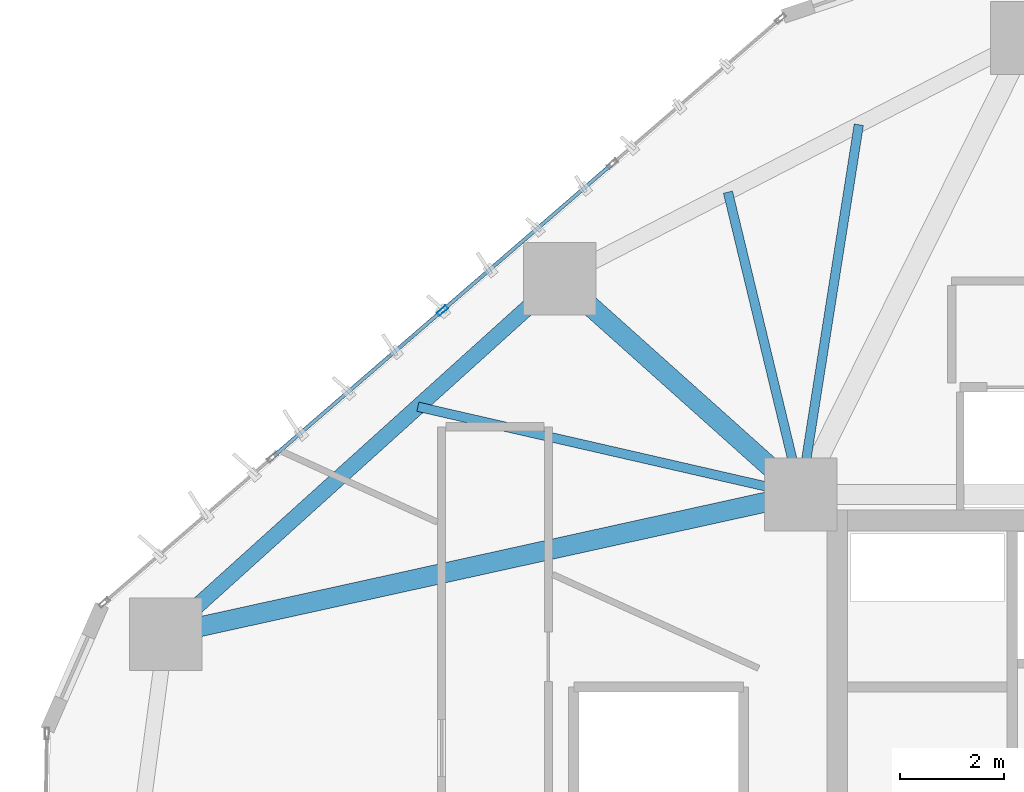
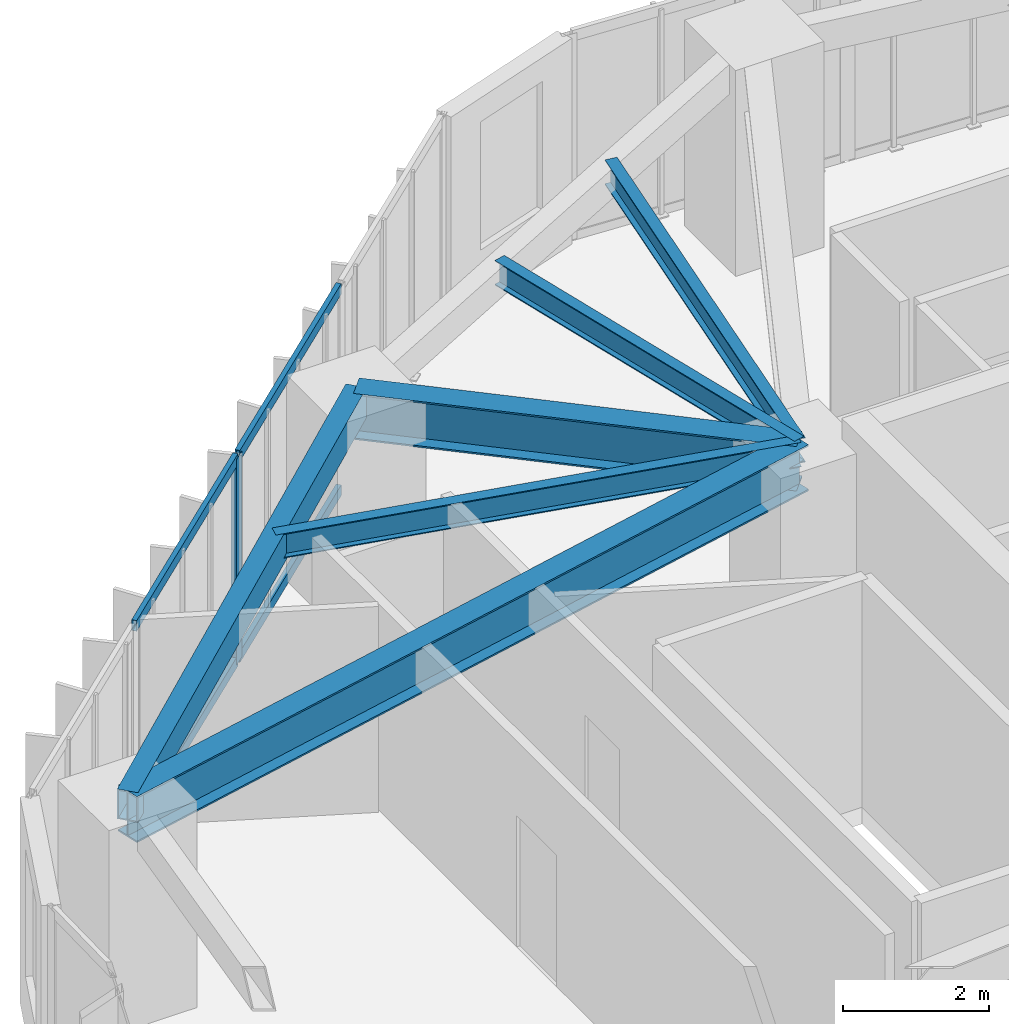
# One storey, part 8 of 24: 6 beams, 5 members, 1 element without a shape of its own.
"""IFC4 building model written with IfcOpenShell, lengths in metres."""

from ifc_helpers import new_model, si_unit, direction, frame, origin, origin_2d, place, context, subcontext, project, spatial, hollow_rectangle, i_section, extrude, source, transform, mapped, material, layer, layer_set, material_profile, profile_set, type_object, type_shapes, element, aggregate, save


model = new_model("IFC4")

# Units and contexts
model_context = context("Model", 3, precision=1e-05, world=origin(), true_north=direction((0.0, 1.0)))
body_context = subcontext(model_context, "Body", "Model", "MODEL_VIEW")
ifc_project = project(units=[si_unit("LENGTHUNIT", "METRE"), si_unit("AREAUNIT", "SQUARE_METRE"), si_unit("VOLUMEUNIT", "CUBIC_METRE"), si_unit("PLANEANGLEUNIT", "RADIAN"), si_unit("MASSUNIT", "GRAM", prefix="KILO")], contexts=[model_context])

# Site, building, storey
site_placement = place(None, origin())
site = spatial("IfcSite", under=ifc_project, at=site_placement, CompositionType="ELEMENT")
building_placement = place(site_placement, origin())
building = spatial("IfcBuilding", under=site, at=building_placement, Name="Talar Marvaseh", CompositionType="ELEMENT")
storey_placement = place(building_placement, frame((0.0, 0.0, 81.0)))
storey = spatial("IfcBuildingStorey", under=building, at=storey_placement, Name="L20", CompositionType="ELEMENT", Elevation=81.0)

# Beams
ifc_material_1 = material(Name="Steel S355", Category="steel")
ifc_material_profile_1 = material_profile(ifc_material_1, hollow_rectangle(XDim=0.300048828125, YDim=0.5, WallThickness=0.02001953125, at=origin_2d()), Name="RHS500x300x20")
ifc_profile_set_1 = profile_set([ifc_material_profile_1], Name="Steel S355")
beam_type_1 = type_object("IfcBeamType", Name="Zone 1 Perimeter Spandrel Beam RHS500x300x20", PredefinedType="SPANDREL", material=ifc_profile_set_1)
beam_1_placement = place(storey_placement, frame((6.501953125, 34.214111328125, 3.199951171875), z_axis=(0.742394279812, 0.669963232799, 0.0), x_axis=(-0.669963232799, 0.742394279812, 0.0)))
element("IfcBeam", 1, at=beam_1_placement, inside=storey, type_object=beam_type_1, Name="L20 Zone 1 Perimeter Spandrel Beam RHS500x300x20", PredefinedType="SPANDREL", context=body_context, shape_type="SweptSolid", body=[
    extrude(hollow_rectangle(XDim=0.300048828125, YDim=0.5, WallThickness=0.02001953125, at=origin_2d()), origin(), (0.0, 0.0, 1.0), 10.19287109375),
])
ifc_material_profile_2 = material_profile(ifc_material_1, i_section(OverallWidth=0.381103515625, OverallDepth=0.77294921875, WebThickness=0.0166015625, FlangeThickness=0.027099609375, at=origin_2d()), Name="W760x257")
ifc_profile_set_2 = profile_set([ifc_material_profile_2], Name="Steel S355")
beam_type_2 = type_object("IfcBeamType", Name="Zone 1 Radial Floor Girder W760x257", PredefinedType="BEAM", material=ifc_profile_set_2)
beam_2_placement = place(storey_placement, frame((6.501953125, 34.214111328125, 3.0634765625), z_axis=(0.976606962034, 0.215032187606, 0.0), x_axis=(-0.215032187606, 0.976606962034, 0.0)))
element("IfcBeam", 2, at=beam_2_placement, inside=storey, type_object=beam_type_2, Name="L20 Zone 1 Radial Floor Girder W760x257", PredefinedType="BEAM", context=body_context, shape_type="SweptSolid", body=[
    extrude(i_section(OverallWidth=0.381103515625, OverallDepth=0.77294921875, WebThickness=0.0166015625, FlangeThickness=0.027099609375, at=origin_2d()), origin(), (0.0, 0.0, 1.0), 12.490234375),
])
beam_3_placement = place(storey_placement, frame((14.069091796875, 41.04296875, 3.0634765625), z_axis=(0.745268030676, -0.666764997921, 0.0), x_axis=(0.666764997921, 0.745268030676, 0.0)))
element("IfcBeam", 3, at=beam_3_placement, inside=storey, type_object=beam_type_2, Name="L20 Zone 1 Radial Floor Girder W760x257", PredefinedType="BEAM", context=body_context, shape_type="SweptSolid", body=[
    extrude(i_section(OverallWidth=0.381103515625, OverallDepth=0.77294921875, WebThickness=0.0166015625, FlangeThickness=0.027099609375, at=origin_2d()), origin(), (0.0, 0.0, 1.0), 6.213623046875),
])
ifc_material_profile_3 = material_profile(ifc_material_1, i_section(OverallWidth=0.179931640625, OverallDepth=0.4130859375, WebThickness=0.009765625, FlangeThickness=0.01611328125, at=origin_2d()), Name="W410x75")
ifc_profile_set_3 = profile_set([ifc_material_profile_3], Name="Steel S355")
beam_type_3 = type_object("IfcBeamType", Name="Zone 1 Secondary Floor Joist W410x75", PredefinedType="JOIST", material=ifc_profile_set_3)
beam_4_placement = place(storey_placement, frame((11.344970703125, 38.584716796875, 3.243408203125), z_axis=(0.974752568621, -0.223287773885, 0.0), x_axis=(0.223287773885, 0.974752568621, 0.0)))
element("IfcBeam", 4, at=beam_4_placement, inside=storey, type_object=beam_type_3, Name="L20 Zone 1 Secondary Floor Joist W410x75", PredefinedType="JOIST", context=body_context, shape_type="SweptSolid", body=[
    extrude(i_section(OverallWidth=0.179931640625, OverallDepth=0.4130859375, WebThickness=0.009765625, FlangeThickness=0.01611328125, at=origin_2d()), origin(), (0.0, 0.0, 1.0), 7.54541015625),
])
beam_5_placement = place(storey_placement, frame((17.301025390625, 42.70751953125, 3.243408203125), z_axis=(0.234179742477, -0.972193318334, 0.0), x_axis=(0.972193318334, 0.234179742477, 0.0)))
element("IfcBeam", 5, at=beam_5_placement, inside=storey, type_object=beam_type_3, Name="L20 Zone 1 Secondary Floor Joist W410x75", PredefinedType="JOIST", context=body_context, shape_type="SweptSolid", body=[
    extrude(i_section(OverallWidth=0.179931640625, OverallDepth=0.4130859375, WebThickness=0.009765625, FlangeThickness=0.01611328125, at=origin_2d()), origin(), (0.0, 0.0, 1.0), 5.9736328125),
])
beam_6_placement = place(storey_placement, frame((19.81494140625, 44.00244140625, 3.243408203125), z_axis=(-0.15508539052, -0.987901068755, 0.0), x_axis=(0.987901068755, -0.15508539052, 0.0)))
element("IfcBeam", 6, at=beam_6_placement, inside=storey, type_object=beam_type_3, Name="L20 Zone 1 Secondary Floor Joist W410x75", PredefinedType="JOIST", context=body_context, shape_type="SweptSolid", body=[
    extrude(i_section(OverallWidth=0.179931640625, OverallDepth=0.4130859375, WebThickness=0.009765625, FlangeThickness=0.01611328125, at=origin_2d()), origin(), (0.0, 0.0, 1.0), 7.189453125),
])

# Curtain wall, members
ifc_material_2 = material(Name="Architectural Aluminium", Category="aluminium")
ifc_layer = layer(ifc_material_2, 0.219970703125)
ifc_layer_set = layer_set([ifc_layer], Name="Architectural Aluminium")
curtain_wall_type = type_object("IfcCurtainWallType", Name="Unitised Low-E Museum Curtain Wall Z1", PredefinedType="NOTDEFINED", material=ifc_layer_set)
curtain_wall_placement = place(storey_placement, origin())
curtain_wall = element("IfcCurtainWall", 7, at=curtain_wall_placement, inside=storey, type_object=curtain_wall_type, Name="L20 Unitised Low-E Museum Curtain Wall Z1", PredefinedType="NOTDEFINED")
ifc_material_profile_4 = material_profile(ifc_material_2, hollow_rectangle(XDim=0.074951171875, YDim=0.179931640625, WallThickness=0.0048828125, at=origin_2d()), Name="RHS180x75x5")
ifc_profile_set_4 = profile_set([ifc_material_profile_4], Name="Architectural Aluminium")
member_type_1 = type_object("IfcMemberType", Name="Unitised Curtain Wall Transom RHS180x75x5", PredefinedType="USERDEFINED", material=ifc_profile_set_4)
shared_shape_1 = source(origin(), body_context, "Body", "SweptSolid", [
    extrude(hollow_rectangle(XDim=0.074951171875, YDim=0.179931640625, WallThickness=0.0048828125, at=origin_2d()), origin(), (0.0, 0.0, 1.0), 4.23193359375),
])
type_shapes(member_type_1, [shared_shape_1])
member_1_placement = place(storey_placement, frame((8.584716796875, 37.640869140625, 0.03759765625), z_axis=(0.756799657511, 0.65364690651, 0.0), x_axis=(-0.65364690651, 0.756799657511, 0.0)))
member_1 = element("IfcMember", 8, at=member_1_placement, type_object=member_type_1, Name="CW-Z1 transom 2.1", ObjectType="TRANSOM", PredefinedType="USERDEFINED", context=body_context, shape_type="MappedRepresentation", body=[
    mapped(shared_shape_1, transform((0.0, 0.0, 0.0), x_axis=(1.0, 0.0, 0.0), y_axis=(0.0, 1.0, 0.0), z_axis=(0.0, 0.0, 1.0), scale=1.0)),
])
member_2_placement = place(storey_placement, frame((8.584716796875, 37.640869140625, 3.41259765625), z_axis=(0.756799657511, 0.65364690651, 0.0), x_axis=(-0.65364690651, 0.756799657511, 0.0)))
member_2 = element("IfcMember", 9, at=member_2_placement, type_object=member_type_1, Name="CW-Z1 transom 2.2", ObjectType="TRANSOM", PredefinedType="USERDEFINED", context=body_context, shape_type="MappedRepresentation", body=[
    mapped(shared_shape_1, transform((0.0, 0.0, 0.0), x_axis=(1.0, 0.0, 0.0), y_axis=(0.0, 1.0, 0.0), z_axis=(0.0, 0.0, 1.0), scale=1.0)),
])
member_3_placement = place(storey_placement, frame((11.847900390625, 40.459228515625, 0.03759765625), z_axis=(0.756771118953, 0.653679947313, 0.0), x_axis=(-0.653679947313, 0.756771118953, 0.0)))
member_3 = element("IfcMember", 10, at=member_3_placement, type_object=member_type_1, Name="CW-Z1 transom 3.1", ObjectType="TRANSOM", PredefinedType="USERDEFINED", context=body_context, shape_type="MappedRepresentation", body=[
    mapped(shared_shape_1, transform((0.0, 0.0, 0.0), x_axis=(1.0, 0.0, 0.0), y_axis=(0.0, 1.0, 0.0), z_axis=(0.0, 0.0, 1.0), scale=1.0)),
])
member_4_placement = place(storey_placement, frame((11.847900390625, 40.459228515625, 3.41259765625), z_axis=(0.756771118953, 0.653679947313, 0.0), x_axis=(-0.653679947313, 0.756771118953, 0.0)))
member_4 = element("IfcMember", 11, at=member_4_placement, type_object=member_type_1, Name="CW-Z1 transom 3.2", ObjectType="TRANSOM", PredefinedType="USERDEFINED", context=body_context, shape_type="MappedRepresentation", body=[
    mapped(shared_shape_1, transform((0.0, 0.0, 0.0), x_axis=(1.0, 0.0, 0.0), y_axis=(0.0, 1.0, 0.0), z_axis=(0.0, 0.0, 1.0), scale=1.0)),
])
ifc_material_profile_5 = material_profile(ifc_material_2, hollow_rectangle(XDim=0.080078125, YDim=0.219970703125, WallThickness=0.0048828125, at=origin_2d()), Name="RHS220x80x5")
ifc_profile_set_5 = profile_set([ifc_material_profile_5], Name="Architectural Aluminium")
member_type_2 = type_object("IfcMemberType", Name="Unitised Curtain Wall Heavy Mullion RHS220x80x5", PredefinedType="MULLION", material=ifc_profile_set_5)
shared_shape_2 = source(origin(), body_context, "Body", "SweptSolid", [
    extrude(hollow_rectangle(XDim=0.080078125, YDim=0.219970703125, WallThickness=0.0048828125, at=origin_2d()), origin(), (0.0, 0.0, 1.0), 3.449951171875),
])
type_shapes(member_type_2, [shared_shape_2])
member_5_placement = place(storey_placement, frame((11.817626953125, 40.43310546875, 0.0), z_axis=(0.0, 0.0, 1.0), x_axis=(-0.653657305577, 0.756790675726, 0.0)))
member_5 = element("IfcMember", 12, at=member_5_placement, type_object=member_type_2, Name="CW-Z1 mullion 3", PredefinedType="MULLION", context=body_context, shape_type="MappedRepresentation", body=[
    mapped(shared_shape_2, transform((0.0, 0.0, 0.0), x_axis=(1.0, 0.0, 0.0), y_axis=(0.0, 1.0, 0.0), z_axis=(0.0, 0.0, 1.0), scale=1.0)),
])
aggregate(curtain_wall, [member_5, member_1, member_2, member_3, member_4])

save(model, "model.ifc")
